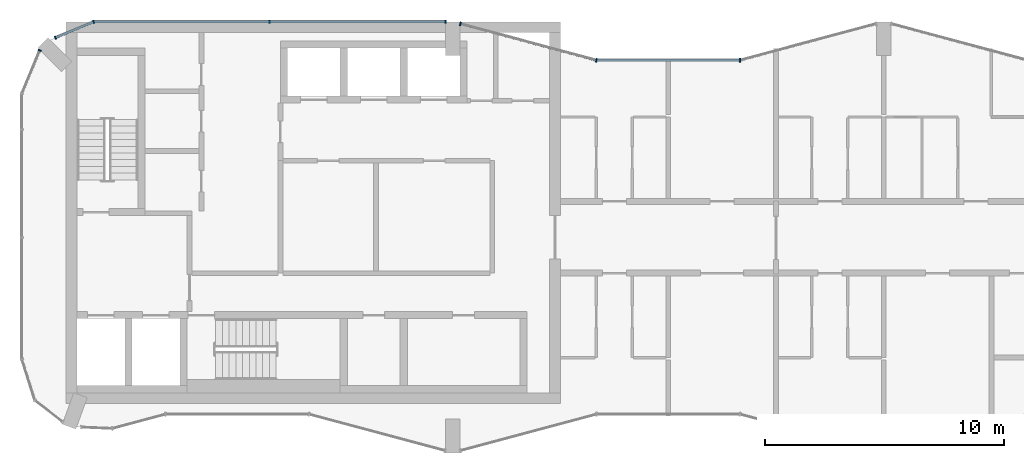
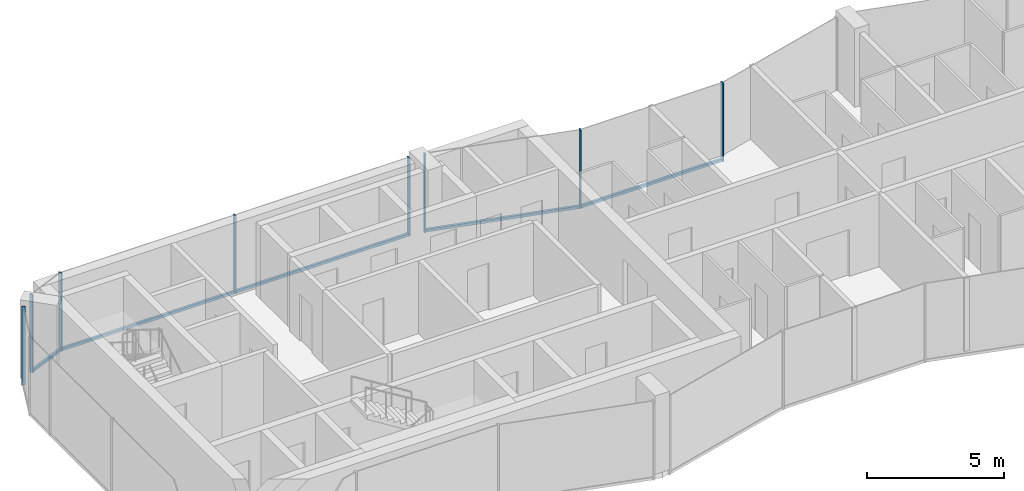
# One storey, part 4 of 10: 12 members, 5 elements without a shape of their own.
"""IFC4 building model written with IfcOpenShell, lengths in metres."""

import ifcopenshell
import ifcopenshell.guid

model = None  # the IFC model being written
_history = None  # IfcOwnerHistory: only IFC2X3 demands one
_inside = {}  # id of a spatial element -> (the spatial element, [elements in it])
_under = {}  # id of a project, library or spatial element -> (it, [spatial elements below it])
_declared = {}  # id of a project -> (the project, [libraries it declares])
_typed = {}  # id of a type object -> (the type object, [elements of that type])
_made_of = {}  # id of a material, layer set ... -> (it, [elements and type objects made of it])


def new_model(schema):
    """Start an empty IFC model of exactly this schema.

    Asked for "IFC4X3", IfcOpenShell would pick the latest addendum, in which some entities
    have other attributes; the version numbers below select the first issue.
    IFC2X3 requires an IfcOwnerHistory on every rooted entity: one is made here for all.
    """
    global model, _history
    if schema == "IFC4X3":
        model = ifcopenshell.file(schema_version=(4, 3, 0, 0))
    else:
        model = ifcopenshell.file(schema=schema)
    _inside.clear()
    _under.clear()
    _declared.clear()
    _typed.clear()
    _made_of.clear()
    _history = None
    if model.schema == "IFC2X3":
        org = make("IfcOrganization", Name="unknown")
        user = make(
            "IfcPersonAndOrganization",
            ThePerson=make("IfcPerson", FamilyName="unknown"),
            TheOrganization=org,
        )
        app = make(
            "IfcApplication",
            ApplicationDeveloper=org,
            Version="unknown",
            ApplicationFullName="unknown",
            ApplicationIdentifier="unknown",
        )
        _history = make(
            "IfcOwnerHistory",
            OwningUser=user,
            OwningApplication=app,
            ChangeAction="ADDED",
            CreationDate=0,
        )
    return model


def make(cls, **values):
    """One entity of the class cls with the attributes given. An attribute that is None is left unset."""
    return model.create_entity(
        cls, **{name: value for name, value in values.items() if value is not None}
    )


def rooted(cls, **values):
    """An entity with a GlobalId (a new one), such as an element, a storey or a relation."""
    return make(cls, GlobalId=ifcopenshell.guid.new(), OwnerHistory=_history, **values)


def si_unit(unit_type, name, prefix=None):
    """IfcSIUnit, for example si_unit("LENGTHUNIT", "METRE", prefix="MILLI")."""
    return make("IfcSIUnit", UnitType=unit_type, Prefix=prefix, Name=name)


def assignment(units):
    """IfcUnitAssignment: the units of a project."""
    return None if units is None else make("IfcUnitAssignment", Units=units)


def point(xyz):
    """IfcCartesianPoint."""
    return None if xyz is None else make("IfcCartesianPoint", Coordinates=xyz)


def direction(xyz):
    """IfcDirection."""
    return None if xyz is None else make("IfcDirection", DirectionRatios=xyz)


def frame(location, z_axis=None, x_axis=None):
    """IfcAxis2Placement3D, a coordinate frame: its origin and axes. An axis left out is left unset."""
    return make(
        "IfcAxis2Placement3D",
        Location=point(location),
        Axis=direction(z_axis),
        RefDirection=direction(x_axis),
    )


def frame_2d(location, x_axis=None):
    """IfcAxis2Placement2D, a coordinate frame in the plane: its origin and x axis."""
    return make(
        "IfcAxis2Placement2D", Location=point(location), RefDirection=direction(x_axis)
    )


def origin():
    """The frame at (0, 0, 0) with its axes left unset."""
    return frame((0.0, 0.0, 0.0))


def origin_2d():
    """The frame at (0, 0) in the plane with its x axis left unset."""
    return frame_2d((0.0, 0.0))


def place(relative_to, where):
    """IfcLocalPlacement: puts the frame where relative to a parent placement (None: the world)."""
    return make(
        "IfcLocalPlacement", PlacementRelTo=relative_to, RelativePlacement=where
    )


def context(
    kind, dimensions, precision=None, world=None, true_north=None, identifier=None
):
    """IfcGeometricRepresentationContext, for example the 3D "Model" context."""
    return make(
        "IfcGeometricRepresentationContext",
        ContextIdentifier=identifier,
        ContextType=kind,
        CoordinateSpaceDimension=dimensions,
        Precision=precision,
        WorldCoordinateSystem=world,
        TrueNorth=true_north,
    )


def subcontext(parent, identifier, kind, view, scale=None):
    """IfcGeometricRepresentationSubContext, for example "Body" below "Model"."""
    return make(
        "IfcGeometricRepresentationSubContext",
        ContextIdentifier=identifier,
        ContextType=kind,
        ParentContext=parent,
        TargetScale=scale,
        TargetView=view,
    )


def project(units=None, contexts=None):
    """IfcProject with its units and contexts."""
    return rooted(
        "IfcProject",
        Name="project",
        RepresentationContexts=contexts,
        UnitsInContext=assignment(units),
    )


def spatial(cls, under=None, at=None, **own):
    """A site, building, storey or space (cls), placed at a placement, below another one or the project."""
    s = rooted(cls, ObjectPlacement=at, **own)
    if under is not None:
        _under.setdefault(under.id(), (under, []))[1].append(s)
    return s


def profile(cls, at=None, kind="AREA", **sizes):
    """A parametric profile (cls). Its sizes go by their IFC names, for example OverallWidth=200.0."""
    return make(cls, ProfileType=kind, Position=at, **sizes)


def rectangle(**sizes):
    """IfcRectangleProfileDef."""
    return profile("IfcRectangleProfileDef", **sizes)


def extrude(swept, where, along, depth):
    """IfcExtrudedAreaSolid: the profile swept, set in the frame where, extruded along a direction by depth."""
    return make(
        "IfcExtrudedAreaSolid",
        SweptArea=swept,
        Position=where,
        ExtrudedDirection=direction(along),
        Depth=depth,
    )


def shape(context_of_items, identifier, shape_type, items):
    """IfcShapeRepresentation: the items that make up one representation, for example the "Body"."""
    return make(
        "IfcShapeRepresentation",
        ContextOfItems=context_of_items,
        RepresentationIdentifier=identifier,
        RepresentationType=shape_type,
        Items=items,
    )


def material(Name=None, Category=None):
    """IfcMaterial."""
    return make("IfcMaterial", Name=Name, Category=Category)


def layer(
    of_material, thickness, ventilated=None, Name=None, Category=None, Priority=None
):
    """IfcMaterialLayer: one layer of a wall or slab, of a material (None: an air gap)."""
    return make(
        "IfcMaterialLayer",
        Material=of_material,
        LayerThickness=thickness,
        IsVentilated=ventilated,
        Name=Name,
        Category=Category,
        Priority=Priority,
    )


def layer_set(layers, Name=None):
    """IfcMaterialLayerSet."""
    return make("IfcMaterialLayerSet", MaterialLayers=layers, LayerSetName=Name)


def material_profile(
    of_material, cross_section, Name=None, Category=None, Priority=None
):
    """IfcMaterialProfile: a cross section and its material."""
    return make(
        "IfcMaterialProfile",
        Name=Name,
        Material=of_material,
        Profile=cross_section,
        Priority=Priority,
        Category=Category,
    )


def profile_set(profiles, Name=None, composite=None):
    """IfcMaterialProfileSet."""
    return make(
        "IfcMaterialProfileSet",
        Name=Name,
        MaterialProfiles=profiles,
        CompositeProfile=composite,
    )


def made_of(thing, what):
    """Note that an element or type object is made of a material, layer set ...; save() writes the relation."""
    if what is not None:
        _made_of.setdefault(what.id(), (what, []))[1].append(thing)
    return thing


def type_object(cls, material=None, **own):
    """A type object (cls), such as IfcWallType, which elements share."""
    return made_of(rooted(cls, **own), material)


def element(
    cls,
    number,
    at=None,
    inside=None,
    cuts=None,
    type_object=None,
    material=None,
    context=None,
    identifier="Body",
    shape_type=None,
    held_by="IfcProductDefinitionShape",
    body=None,
    shapes=None,
    **own,
):
    """One element of the class cls, such as IfcWall. Its Tag is "e" and its number.

    at: its placement. inside: the storey or other place that contains it. cuts: it is an
    opening in that element (IfcRelVoidsElement). A single representation is given by context,
    identifier, shape_type and body (its items); several are given by shapes. held_by: the class
    of the entity that holds the representations. save() writes the other relations.
    """
    e = rooted(cls, Tag="e%d" % number, ObjectPlacement=at, **own)
    if body is not None:
        shapes = [shape(context, identifier, shape_type, body)]
    if shapes is not None:
        e.Representation = make(held_by, Representations=shapes)
    if inside is not None:
        _inside.setdefault(inside.id(), (inside, []))[1].append(e)
    if cuts is not None:
        rooted(
            "IfcRelVoidsElement", RelatingBuildingElement=cuts, RelatedOpeningElement=e
        )
    if type_object is not None:
        _typed.setdefault(type_object.id(), (type_object, []))[1].append(e)
    return made_of(e, material)


def aggregate(whole, parts):
    """IfcRelAggregates: a whole, such as a stair, and the parts it consists of."""
    return rooted("IfcRelAggregates", RelatingObject=whole, RelatedObjects=parts)


def save(model, path):
    """Write the relations noted so far, then the file.

    IfcRelAggregates (storeys below a building ...), IfcRelContainedInSpatialStructure (elements
    in a storey), IfcRelDefinesByType, IfcRelAssociatesMaterial and IfcRelDeclares: one each for
    every whole, place, type object, material and project.
    """
    for whole, parts in _under.values():
        aggregate(whole, parts)
    for where, things in _inside.values():
        rooted(
            "IfcRelContainedInSpatialStructure",
            RelatedElements=things,
            RelatingStructure=where,
        )
    for kind, things in _typed.values():
        rooted("IfcRelDefinesByType", RelatedObjects=things, RelatingType=kind)
    for what, things in _made_of.values():
        rooted("IfcRelAssociatesMaterial", RelatedObjects=things, RelatingMaterial=what)
    for by, libraries in _declared.values():
        rooted("IfcRelDeclares", RelatingContext=by, RelatedDefinitions=libraries)
    model.write(path)


model = new_model("IFC4")

# Units and contexts
model_context = context("Model", 3, precision=1e-05, world=origin(), true_north=direction((0.0, 1.0)))
body_context = subcontext(model_context, "Body", "Model", "MODEL_VIEW")
ifc_project = project(units=[si_unit("LENGTHUNIT", "METRE"), si_unit("AREAUNIT", "SQUARE_METRE"), si_unit("VOLUMEUNIT", "CUBIC_METRE"), si_unit("PLANEANGLEUNIT", "RADIAN"), si_unit("MASSUNIT", "GRAM", prefix="KILO")], contexts=[model_context])

# Site, building, storey
site_placement = place(None, origin())
site = spatial("IfcSite", under=ifc_project, at=site_placement, CompositionType="ELEMENT")
building_placement = place(site_placement, origin())
building = spatial("IfcBuilding", under=site, at=building_placement, Name="Plateau Cross Towers", CompositionType="ELEMENT")
storey_placement = place(building_placement, frame((0.0, 0.0, 259.89990234375)))
storey = spatial("IfcBuildingStorey", under=building, at=storey_placement, Name="L68", CompositionType="ELEMENT", Elevation=259.89990234375)

# Curtain wall, members
ifc_material_1 = material(Name="Dark low-iron glass", Category="glass")
ifc_layer_1 = layer(ifc_material_1, 0.239990234375)
ifc_layer_set_1 = layer_set([ifc_layer_1], Name="Dark low-iron glass")
curtain_wall_type_1 = type_object("IfcCurtainWallType", Name="Curtain wall flush unitised CW-B", PredefinedType="NOTDEFINED", material=ifc_layer_set_1)
curtain_wall_1_placement = place(storey_placement, origin())
curtain_wall_1 = element("IfcCurtainWall", 1, at=curtain_wall_1_placement, inside=storey, type_object=curtain_wall_type_1, Name="ENV/A/L68/A177_180", PredefinedType="NOTDEFINED")
ifc_material_2 = material(Name="Black anodised aluminium", Category="aluminium")
ifc_material_profile_1 = material_profile(ifc_material_2, rectangle(XDim=0.06005859375, YDim=0.139892578125, at=origin_2d()), Name="MULLION 60x140")
ifc_profile_set_1 = profile_set([ifc_material_profile_1], Name="Black anodised aluminium")
member_type_1 = type_object("IfcMemberType", Name="Mullion 60x140 flush unitised", PredefinedType="MULLION", material=ifc_profile_set_1)
member_1_placement = place(storey_placement, frame((17.699951171875, 18.0, -0.25), z_axis=(0.0, 0.0, 1.0), x_axis=(-1.0, 0.0, 0.0)))
member_1 = element("IfcMember", 2, at=member_1_placement, type_object=member_type_1, Name="CW-B mullion 1", PredefinedType="MULLION", context=body_context, shape_type="SweptSolid", body=[
    extrude(rectangle(XDim=0.06005859375, YDim=0.139892578125, at=origin_2d()), origin(), (0.0, 0.0, 1.0), 3.5),
])
member_2_placement = place(storey_placement, frame((10.35009765625, 18.0, -0.25), z_axis=(0.0, 0.0, 1.0), x_axis=(-1.0, 0.0, 0.0)))
member_2 = element("IfcMember", 3, at=member_2_placement, type_object=member_type_1, Name="CW-B mullion 2", PredefinedType="MULLION", context=body_context, shape_type="SweptSolid", body=[
    extrude(rectangle(XDim=0.06005859375, YDim=0.139892578125, at=origin_2d()), origin(), (0.0, 0.0, 1.0), 3.5),
])

curtain_wall_2_placement = place(storey_placement, origin())
curtain_wall_2 = element("IfcCurtainWall", 4, at=curtain_wall_2_placement, inside=storey, type_object=curtain_wall_type_1, Name="ENV/A/L68/A30_180", PredefinedType="NOTDEFINED")
member_3_placement = place(storey_placement, frame((3.0, 18.0, -0.25), z_axis=(0.0, 0.0, 1.0), x_axis=(-0.923879457699, -0.382683612978, 0.0)))
member_3 = element("IfcMember", 5, at=member_3_placement, type_object=member_type_1, Name="CW-B mullion 1", PredefinedType="MULLION", context=body_context, shape_type="SweptSolid", body=[
    extrude(rectangle(XDim=0.06005859375, YDim=0.139892578125, at=origin_2d()), origin(), (0.0, 0.0, 1.0), 3.5),
])
member_4_placement = place(storey_placement, frame((1.4033203125, 17.338623046875, -0.25), z_axis=(0.0, 0.0, 1.0), x_axis=(-0.923879457699, -0.382683612978, 0.0)))
member_4 = element("IfcMember", 6, at=member_4_placement, type_object=member_type_1, Name="CW-B mullion 2", PredefinedType="MULLION", context=body_context, shape_type="SweptSolid", body=[
    extrude(rectangle(XDim=0.06005859375, YDim=0.139892578125, at=origin_2d()), origin(), (0.0, 0.0, 1.0), 3.5),
])

# Curtain wall, member
curtain_wall_3_placement = place(storey_placement, origin())
curtain_wall_3 = element("IfcCurtainWall", 7, at=curtain_wall_3_placement, inside=storey, type_object=curtain_wall_type_1, Name="ENV/A/L68/A7_168", PredefinedType="NOTDEFINED")
member_5_placement = place(storey_placement, frame((0.748046875, 16.805908203125, -0.25), z_axis=(0.0, 0.0, 1.0), x_axis=(-0.382683612978, -0.923879457699, 0.0)))
member_5 = element("IfcMember", 8, at=member_5_placement, type_object=member_type_1, Name="CW-B mullion 1", PredefinedType="MULLION", context=body_context, shape_type="SweptSolid", body=[
    extrude(rectangle(XDim=0.06005859375, YDim=0.139892578125, at=origin_2d()), origin(), (0.0, 0.0, 1.0), 3.5),
])
aggregate(curtain_wall_3, [member_5])

ifc_layer_2 = layer(ifc_material_1, 0.260009765625)
ifc_layer_set_2 = layer_set([ifc_layer_2], Name="Dark low-iron glass")
curtain_wall_type_2 = type_object("IfcCurtainWallType", Name="Curtain wall fluted unitised CW-A", PredefinedType="NOTDEFINED", material=ifc_layer_set_2)
curtain_wall_4_placement = place(storey_placement, origin())
curtain_wall_4 = element("IfcCurtainWall", 9, at=curtain_wall_4_placement, inside=storey, type_object=curtain_wall_type_2, Name="ENV/A/L68/A300_164", PredefinedType="NOTDEFINED")
ifc_material_profile_2 = material_profile(ifc_material_2, rectangle(XDim=0.06005859375, YDim=0.159912109375, at=origin_2d()), Name="MULLION 60x160")
ifc_profile_set_2 = profile_set([ifc_material_profile_2], Name="Black anodised aluminium")
member_type_2 = type_object("IfcMemberType", Name="Mullion 60x160 fluted unitised", PredefinedType="MULLION", material=ifc_profile_set_2)
member_6_placement = place(storey_placement, frame((30.0, 16.39306640625, -0.25), z_axis=(0.0, 0.0, 1.0), x_axis=(-1.0, 0.0, 0.0)))
member_6 = element("IfcMember", 10, at=member_6_placement, type_object=member_type_2, Name="CW-A mullion 1", PredefinedType="MULLION", context=body_context, shape_type="SweptSolid", body=[
    extrude(rectangle(XDim=0.06005859375, YDim=0.159912109375, at=origin_2d()), origin(), (0.0, 0.0, 1.0), 3.5),
])

# Curtain wall, members
curtain_wall_5_placement = place(storey_placement, origin())
curtain_wall_5 = element("IfcCurtainWall", 11, at=curtain_wall_5_placement, inside=storey, type_object=curtain_wall_type_2, Name="ENV/A/L68/A240_164", PredefinedType="NOTDEFINED")
member_7_placement = place(storey_placement, frame((24.0, 16.39306640625, -0.25), z_axis=(0.0, 0.0, 1.0), x_axis=(-0.965957983404, 0.258699003279, 0.0)))
member_7 = element("IfcMember", 12, at=member_7_placement, type_object=member_type_2, Name="CW-A mullion 1", PredefinedType="MULLION", context=body_context, shape_type="SweptSolid", body=[
    extrude(rectangle(XDim=0.06005859375, YDim=0.159912109375, at=origin_2d()), origin(), (0.0, 0.0, 1.0), 3.5),
])
member_8_placement = place(storey_placement, frame((18.31787109375, 17.914794921875, -0.25), z_axis=(0.0, 0.0, 1.0), x_axis=(-0.965957983404, 0.258699003279, 0.0)))
member_8 = element("IfcMember", 13, at=member_8_placement, type_object=member_type_2, Name="CW-A mullion 2", PredefinedType="MULLION", context=body_context, shape_type="SweptSolid", body=[
    extrude(rectangle(XDim=0.06005859375, YDim=0.159912109375, at=origin_2d()), origin(), (0.0, 0.0, 1.0), 3.5),
])

# Member
ifc_material_profile_3 = material_profile(ifc_material_2, rectangle(XDim=0.10009765625, YDim=0.1201171875, at=origin_2d()), Name="TRANSOM 100x120")
ifc_profile_set_3 = profile_set([ifc_material_profile_3], Name="Black anodised aluminium")
member_type_3 = type_object("IfcMemberType", Name="Transom 100x120 flush unitised", PredefinedType="USERDEFINED", material=ifc_profile_set_3)
member_9_placement = place(storey_placement, frame((17.699951171875, 18.0, -0.18994140625), z_axis=(-1.0, 0.0, 0.0), x_axis=(0.0, -1.0, 0.0)))
member_9 = element("IfcMember", 14, at=member_9_placement, type_object=member_type_3, Name="CW-B transom", ObjectType="TRANSOM", PredefinedType="USERDEFINED", context=body_context, shape_type="SweptSolid", body=[
    extrude(rectangle(XDim=0.10009765625, YDim=0.1201171875, at=origin_2d()), origin(), (0.0, 0.0, 1.0), 14.699951171875),
])

aggregate(curtain_wall_1, [member_1, member_2, member_9])

member_10_placement = place(storey_placement, frame((3.0, 18.0, -0.18994140625), z_axis=(-0.923877369776, -0.382688653628, 0.0), x_axis=(0.382688653628, -0.923877369776, 0.0)))
member_10 = element("IfcMember", 15, at=member_10_placement, type_object=member_type_3, Name="CW-B transom", ObjectType="TRANSOM", PredefinedType="USERDEFINED", context=body_context, shape_type="SweptSolid", body=[
    extrude(rectangle(XDim=0.10009765625, YDim=0.1201171875, at=origin_2d()), origin(), (0.0, 0.0, 1.0), 1.728271484375),
])

aggregate(curtain_wall_2, [member_3, member_4, member_10])

ifc_material_profile_4 = material_profile(ifc_material_2, rectangle(XDim=0.10009765625, YDim=0.1201171875, at=origin_2d()), Name="TRANSOM 100x120")
ifc_profile_set_4 = profile_set([ifc_material_profile_4], Name="Black anodised aluminium")
member_type_4 = type_object("IfcMemberType", Name="Transom 100x120 fluted unitised", PredefinedType="USERDEFINED", material=ifc_profile_set_4)
member_11_placement = place(storey_placement, frame((30.0, 16.39306640625, -0.18994140625), z_axis=(-1.0, 0.0, 0.0), x_axis=(0.0, -1.0, 0.0)))
member_11 = element("IfcMember", 16, at=member_11_placement, type_object=member_type_4, Name="CW-A transom", ObjectType="TRANSOM", PredefinedType="USERDEFINED", context=body_context, shape_type="SweptSolid", body=[
    extrude(rectangle(XDim=0.10009765625, YDim=0.1201171875, at=origin_2d()), origin(), (0.0, 0.0, 1.0), 6.0),
])

aggregate(curtain_wall_4, [member_6, member_11])

member_12_placement = place(storey_placement, frame((24.0, 16.39306640625, -0.18994140625), z_axis=(-0.965959534794, 0.258693210465, 0.0), x_axis=(-0.258693210465, -0.965959534794, 0.0)))
member_12 = element("IfcMember", 17, at=member_12_placement, type_object=member_type_4, Name="CW-A transom", ObjectType="TRANSOM", PredefinedType="USERDEFINED", context=body_context, shape_type="SweptSolid", body=[
    extrude(rectangle(XDim=0.10009765625, YDim=0.1201171875, at=origin_2d()), origin(), (0.0, 0.0, 1.0), 5.88232421875),
])

aggregate(curtain_wall_5, [member_7, member_8, member_12])

save(model, "model.ifc")
